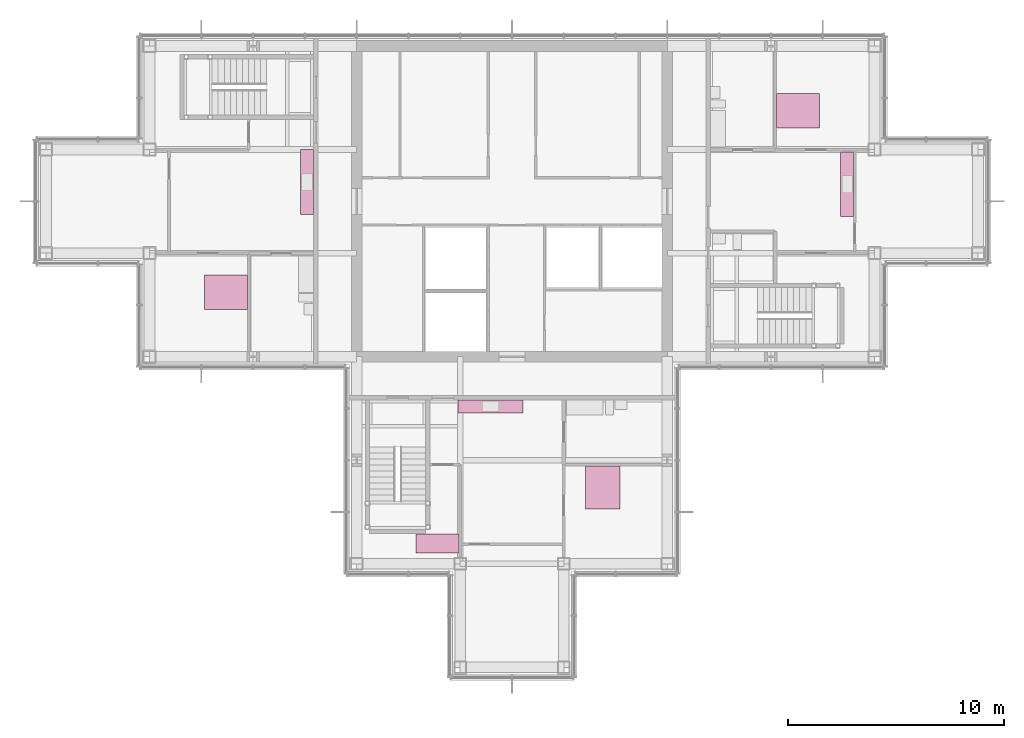
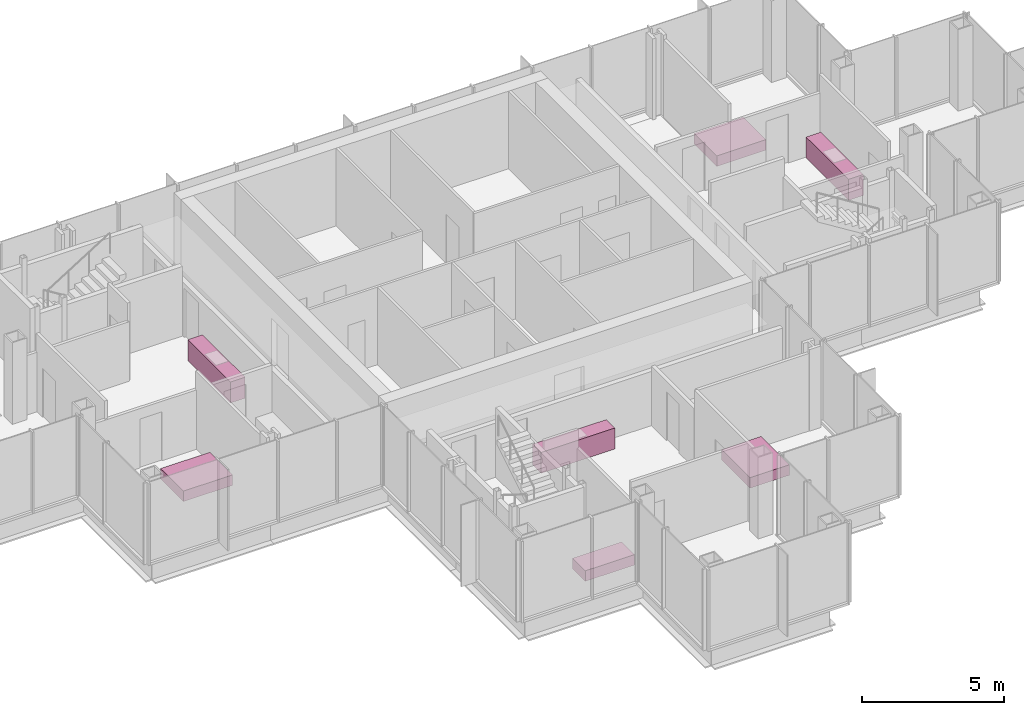
# One storey, part 15 of 15: 7 furniture elements.
"""IFC4 building model written with IfcOpenShell, lengths in metres."""

import ifcopenshell
import ifcopenshell.guid

model = None  # the IFC model being written
_history = None  # IfcOwnerHistory: only IFC2X3 demands one
_inside = {}  # id of a spatial element -> (the spatial element, [elements in it])
_under = {}  # id of a project, library or spatial element -> (it, [spatial elements below it])
_declared = {}  # id of a project -> (the project, [libraries it declares])
_typed = {}  # id of a type object -> (the type object, [elements of that type])
_made_of = {}  # id of a material, layer set ... -> (it, [elements and type objects made of it])


def new_model(schema):
    """Start an empty IFC model of exactly this schema.

    Asked for "IFC4X3", IfcOpenShell would pick the latest addendum, in which some entities
    have other attributes; the version numbers below select the first issue.
    IFC2X3 requires an IfcOwnerHistory on every rooted entity: one is made here for all.
    """
    global model, _history
    if schema == "IFC4X3":
        model = ifcopenshell.file(schema_version=(4, 3, 0, 0))
    else:
        model = ifcopenshell.file(schema=schema)
    _inside.clear()
    _under.clear()
    _declared.clear()
    _typed.clear()
    _made_of.clear()
    _history = None
    if model.schema == "IFC2X3":
        org = make("IfcOrganization", Name="unknown")
        user = make(
            "IfcPersonAndOrganization",
            ThePerson=make("IfcPerson", FamilyName="unknown"),
            TheOrganization=org,
        )
        app = make(
            "IfcApplication",
            ApplicationDeveloper=org,
            Version="unknown",
            ApplicationFullName="unknown",
            ApplicationIdentifier="unknown",
        )
        _history = make(
            "IfcOwnerHistory",
            OwningUser=user,
            OwningApplication=app,
            ChangeAction="ADDED",
            CreationDate=0,
        )
    return model


def make(cls, **values):
    """One entity of the class cls with the attributes given. An attribute that is None is left unset."""
    return model.create_entity(
        cls, **{name: value for name, value in values.items() if value is not None}
    )


def rooted(cls, **values):
    """An entity with a GlobalId (a new one), such as an element, a storey or a relation."""
    return make(cls, GlobalId=ifcopenshell.guid.new(), OwnerHistory=_history, **values)


def si_unit(unit_type, name, prefix=None):
    """IfcSIUnit, for example si_unit("LENGTHUNIT", "METRE", prefix="MILLI")."""
    return make("IfcSIUnit", UnitType=unit_type, Prefix=prefix, Name=name)


def assignment(units):
    """IfcUnitAssignment: the units of a project."""
    return None if units is None else make("IfcUnitAssignment", Units=units)


def point(xyz):
    """IfcCartesianPoint."""
    return None if xyz is None else make("IfcCartesianPoint", Coordinates=xyz)


def direction(xyz):
    """IfcDirection."""
    return None if xyz is None else make("IfcDirection", DirectionRatios=xyz)


def frame(location, z_axis=None, x_axis=None):
    """IfcAxis2Placement3D, a coordinate frame: its origin and axes. An axis left out is left unset."""
    return make(
        "IfcAxis2Placement3D",
        Location=point(location),
        Axis=direction(z_axis),
        RefDirection=direction(x_axis),
    )


def frame_2d(location, x_axis=None):
    """IfcAxis2Placement2D, a coordinate frame in the plane: its origin and x axis."""
    return make(
        "IfcAxis2Placement2D", Location=point(location), RefDirection=direction(x_axis)
    )


def origin():
    """The frame at (0, 0, 0) with its axes left unset."""
    return frame((0.0, 0.0, 0.0))


def origin_2d():
    """The frame at (0, 0) in the plane with its x axis left unset."""
    return frame_2d((0.0, 0.0))


def place(relative_to, where):
    """IfcLocalPlacement: puts the frame where relative to a parent placement (None: the world)."""
    return make(
        "IfcLocalPlacement", PlacementRelTo=relative_to, RelativePlacement=where
    )


def context(
    kind, dimensions, precision=None, world=None, true_north=None, identifier=None
):
    """IfcGeometricRepresentationContext, for example the 3D "Model" context."""
    return make(
        "IfcGeometricRepresentationContext",
        ContextIdentifier=identifier,
        ContextType=kind,
        CoordinateSpaceDimension=dimensions,
        Precision=precision,
        WorldCoordinateSystem=world,
        TrueNorth=true_north,
    )


def subcontext(parent, identifier, kind, view, scale=None):
    """IfcGeometricRepresentationSubContext, for example "Body" below "Model"."""
    return make(
        "IfcGeometricRepresentationSubContext",
        ContextIdentifier=identifier,
        ContextType=kind,
        ParentContext=parent,
        TargetScale=scale,
        TargetView=view,
    )


def project(units=None, contexts=None):
    """IfcProject with its units and contexts."""
    return rooted(
        "IfcProject",
        Name="project",
        RepresentationContexts=contexts,
        UnitsInContext=assignment(units),
    )


def spatial(cls, under=None, at=None, **own):
    """A site, building, storey or space (cls), placed at a placement, below another one or the project."""
    s = rooted(cls, ObjectPlacement=at, **own)
    if under is not None:
        _under.setdefault(under.id(), (under, []))[1].append(s)
    return s


def profile(cls, at=None, kind="AREA", **sizes):
    """A parametric profile (cls). Its sizes go by their IFC names, for example OverallWidth=200.0."""
    return make(cls, ProfileType=kind, Position=at, **sizes)


def rectangle(**sizes):
    """IfcRectangleProfileDef."""
    return profile("IfcRectangleProfileDef", **sizes)


def extrude(swept, where, along, depth):
    """IfcExtrudedAreaSolid: the profile swept, set in the frame where, extruded along a direction by depth."""
    return make(
        "IfcExtrudedAreaSolid",
        SweptArea=swept,
        Position=where,
        ExtrudedDirection=direction(along),
        Depth=depth,
    )


def shape(context_of_items, identifier, shape_type, items):
    """IfcShapeRepresentation: the items that make up one representation, for example the "Body"."""
    return make(
        "IfcShapeRepresentation",
        ContextOfItems=context_of_items,
        RepresentationIdentifier=identifier,
        RepresentationType=shape_type,
        Items=items,
    )


def material(Name=None, Category=None):
    """IfcMaterial."""
    return make("IfcMaterial", Name=Name, Category=Category)


def made_of(thing, what):
    """Note that an element or type object is made of a material, layer set ...; save() writes the relation."""
    if what is not None:
        _made_of.setdefault(what.id(), (what, []))[1].append(thing)
    return thing


def type_object(cls, material=None, **own):
    """A type object (cls), such as IfcWallType, which elements share."""
    return made_of(rooted(cls, **own), material)


def element(
    cls,
    number,
    at=None,
    inside=None,
    cuts=None,
    type_object=None,
    material=None,
    context=None,
    identifier="Body",
    shape_type=None,
    held_by="IfcProductDefinitionShape",
    body=None,
    shapes=None,
    **own,
):
    """One element of the class cls, such as IfcWall. Its Tag is "e" and its number.

    at: its placement. inside: the storey or other place that contains it. cuts: it is an
    opening in that element (IfcRelVoidsElement). A single representation is given by context,
    identifier, shape_type and body (its items); several are given by shapes. held_by: the class
    of the entity that holds the representations. save() writes the other relations.
    """
    e = rooted(cls, Tag="e%d" % number, ObjectPlacement=at, **own)
    if body is not None:
        shapes = [shape(context, identifier, shape_type, body)]
    if shapes is not None:
        e.Representation = make(held_by, Representations=shapes)
    if inside is not None:
        _inside.setdefault(inside.id(), (inside, []))[1].append(e)
    if cuts is not None:
        rooted(
            "IfcRelVoidsElement", RelatingBuildingElement=cuts, RelatedOpeningElement=e
        )
    if type_object is not None:
        _typed.setdefault(type_object.id(), (type_object, []))[1].append(e)
    return made_of(e, material)


def aggregate(whole, parts):
    """IfcRelAggregates: a whole, such as a stair, and the parts it consists of."""
    return rooted("IfcRelAggregates", RelatingObject=whole, RelatedObjects=parts)


def save(model, path):
    """Write the relations noted so far, then the file.

    IfcRelAggregates (storeys below a building ...), IfcRelContainedInSpatialStructure (elements
    in a storey), IfcRelDefinesByType, IfcRelAssociatesMaterial and IfcRelDeclares: one each for
    every whole, place, type object, material and project.
    """
    for whole, parts in _under.values():
        aggregate(whole, parts)
    for where, things in _inside.values():
        rooted(
            "IfcRelContainedInSpatialStructure",
            RelatedElements=things,
            RelatingStructure=where,
        )
    for kind, things in _typed.values():
        rooted("IfcRelDefinesByType", RelatedObjects=things, RelatingType=kind)
    for what, things in _made_of.values():
        rooted("IfcRelAssociatesMaterial", RelatedObjects=things, RelatingMaterial=what)
    for by, libraries in _declared.values():
        rooted("IfcRelDeclares", RelatingContext=by, RelatedDefinitions=libraries)
    model.write(path)


model = new_model("IFC4")

# Units and contexts
model_context = context("Model", 3, precision=1e-05, world=origin(), true_north=direction((0.0, 1.0)))
body_context = subcontext(model_context, "Body", "Model", "MODEL_VIEW")
ifc_project = project(units=[si_unit("LENGTHUNIT", "METRE"), si_unit("AREAUNIT", "SQUARE_METRE"), si_unit("VOLUMEUNIT", "CUBIC_METRE"), si_unit("PLANEANGLEUNIT", "RADIAN"), si_unit("MASSUNIT", "GRAM", prefix="KILO")], contexts=[model_context])

# Site, building, storey
site_placement = place(None, origin())
site = spatial("IfcSite", under=ifc_project, at=site_placement, CompositionType="ELEMENT")
building_placement = place(site_placement, origin())
building = spatial("IfcBuilding", under=site, at=building_placement, Name="Kvirike Care Tower", CompositionType="ELEMENT")
storey_placement = place(building_placement, frame((0.0, 0.0, 198.0)))
storey = spatial("IfcBuildingStorey", under=building, at=storey_placement, Name="L54", CompositionType="ELEMENT", Elevation=198.0)

# Furniture
ifc_material_1 = material(Name="Timber", Category="wood")
furniture_type_1 = type_object("IfcFurnitureType", Name="DOUBLE BED 1600 x 2000", AssemblyPlace="FACTORY", PredefinedType="BED", material=ifc_material_1)
for number, where, z_axis, x_axis, name in (
    (1, (8.337890625, 31.7900390625, 0.0), (0.0, 0.0, 1.0), (0.0, -1.0, 0.0), "Double bed L54-005"),
    (2, (25.81005859375, 22.738037109375, 0.0), (0.0, 0.0, 1.0), (1.0, 0.0, 0.0), "Double bed L54-012"),
    (3, (34.862060546875, 40.2099609375, 0.0), (0.0, 0.0, 1.0), (0.0, 1.0, 0.0), "Double bed L54-019"),
):
    element("IfcFurniture", number, at=place(storey_placement, frame(where, z_axis=z_axis, x_axis=x_axis)), inside=storey, type_object=furniture_type_1, Name=name, PredefinedType="BED", context=body_context, shape_type="SweptSolid", body=[
        extrude(rectangle(XDim=1.60009765625, YDim=2.0, at=origin_2d()), origin(), (0.0, 0.0, 1.0), 0.449951171875),
    ])
ifc_material_2 = material(Name="Laminated board", Category="wood")
furniture_type_2 = type_object("IfcFurnitureType", Name="KITCHEN UNIT RUN 600", AssemblyPlace="FACTORY", PredefinedType="USERDEFINED", material=ifc_material_2)
for number, where, z_axis, x_axis, name in (
    (4, (12.097900390625, 36.89990234375, 0.0), (0.0, 0.0, 1.0), (0.0, -1.0, 0.0), "Kitchen unit run L54-007"),
    (5, (20.60009765625, 26.498046875, 0.0), (0.0, 0.0, 1.0), (1.0, 0.0, 0.0), "Kitchen unit run L54-014"),
    (6, (37.137939453125, 36.7900390625, 0.0), (0.0, 0.0, 1.0), (0.0, -1.0, 0.0), "Kitchen unit run L54-022"),
):
    element("IfcFurniture", number, at=place(storey_placement, frame(where, z_axis=z_axis, x_axis=x_axis)), inside=storey, type_object=furniture_type_2, Name=name, ObjectType="KITCHEN UNIT", PredefinedType="USERDEFINED", context=body_context, shape_type="SweptSolid", body=[
        extrude(rectangle(XDim=3.0, YDim=0.60009765625, at=origin_2d()), origin(), (0.0, 0.0, 1.0), 0.89990234375),
    ])
ifc_material_3 = material(Name="Timber", Category="wood")
furniture_type_3 = type_object("IfcFurnitureType", Name="SINGLE BED 900 x 2000", AssemblyPlace="FACTORY", PredefinedType="BED", material=ifc_material_3)
furniture_placement = place(storey_placement, frame((18.137939453125, 20.139892578125, 0.0), z_axis=(0.0, 0.0, 1.0), x_axis=(0.0, -1.0, 0.0)))
element("IfcFurniture", 7, at=furniture_placement, inside=storey, type_object=furniture_type_3, Name="Single bed L54-010", PredefinedType="BED", context=body_context, shape_type="SweptSolid", body=[
    extrude(rectangle(XDim=0.89990234375, YDim=2.0, at=origin_2d()), origin(), (0.0, 0.0, 1.0), 0.449951171875),
])

save(model, "model.ifc")
